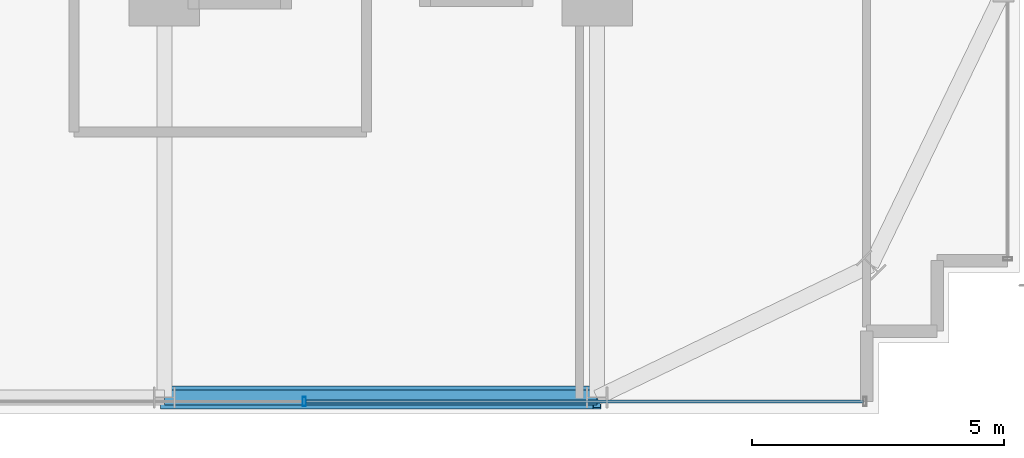
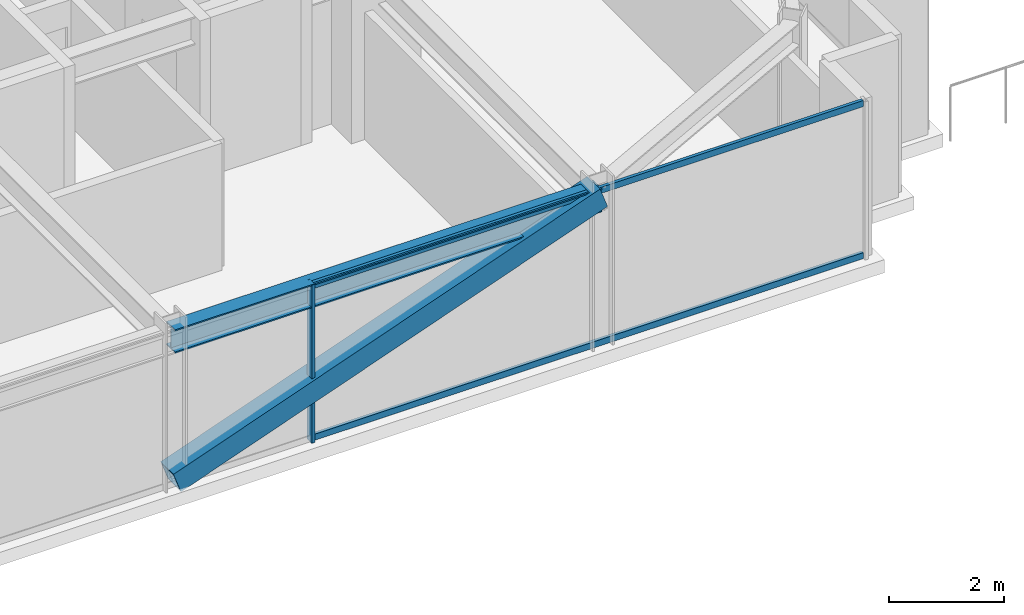
# One storey, part 12 of 39: 4 members, 1 beam, 1 element without a shape of its own.
"""IFC4 building model written with IfcOpenShell, lengths in metres."""

from ifc_helpers import new_model, si_unit, direction, frame, origin, origin_2d, place, context, subcontext, project, spatial, hollow_rectangle, i_section, extrude, source, transform, mapped, material, material_profile, profile_set, type_object, element, aggregate, save


model = new_model("IFC4")

# Units and contexts
model_context = context("Model", 3, precision=1e-05, world=origin(), true_north=direction((0.0, 1.0)))
body_context = subcontext(model_context, "Body", "Model", "MODEL_VIEW")
ifc_project = project(units=[si_unit("LENGTHUNIT", "METRE"), si_unit("AREAUNIT", "SQUARE_METRE"), si_unit("VOLUMEUNIT", "CUBIC_METRE"), si_unit("PLANEANGLEUNIT", "RADIAN"), si_unit("MASSUNIT", "GRAM", prefix="KILO")], contexts=[model_context])

# Site, building, storey
site_placement = place(None, origin())
site = spatial("IfcSite", under=ifc_project, at=site_placement, CompositionType="ELEMENT")
building_placement = place(site_placement, origin())
building = spatial("IfcBuilding", under=site, at=building_placement, Name="Nahalor Promenade Grand Hotel", CompositionType="ELEMENT")
storey_placement = place(building_placement, frame((0.0, 0.0, 32.39990234375)))
storey = spatial("IfcBuildingStorey", under=building, at=storey_placement, Name="L06", CompositionType="ELEMENT", Elevation=32.39990234375)

# Beam
ifc_material_1 = material(Name="Steel S355JR", Category="steel")
ifc_material_profile_1 = material_profile(ifc_material_1, i_section(OverallWidth=0.3, OverallDepth=0.5, WebThickness=0.0145, FlangeThickness=0.028, at=origin_2d()), Name="HEB 500")
ifc_profile_set_1 = profile_set([ifc_material_profile_1], Name="Steel S355JR")
beam_type = type_object("IfcBeamType", Name="Beam-Spandrel-HEB500", PredefinedType="SPANDREL", material=ifc_profile_set_1)
shared_shape_1 = source(origin(), body_context, "Body", "SweptSolid", [
    extrude(i_section(OverallWidth=0.3, OverallDepth=0.5, WebThickness=0.0145, FlangeThickness=0.028, at=origin_2d()), origin(), (0.0, 0.0, 1.0), 8.60009765625),
])
beam_placement = place(storey_placement, frame((8.39990234375, -25.080078125, 3.1201171875), z_axis=(1.0, 0.0, 0.0), x_axis=(0.0, 1.0, 0.0)))
element("IfcBeam", 1, at=beam_placement, inside=storey, type_object=beam_type, Name="BM-L06-SP-S-4", PredefinedType="SPANDREL", context=body_context, shape_type="MappedRepresentation", body=[
    mapped(shared_shape_1, transform((0.0, 0.0, 0.0), scale=1.0)),
])

# Member
ifc_material_2 = material(Name="Steel S355J2", Category="steel")
ifc_material_profile_2 = material_profile(ifc_material_2, hollow_rectangle(XDim=0.45, YDim=0.45, WallThickness=0.025, at=origin_2d()), Name="SHS 450x450x25")
ifc_profile_set_2 = profile_set([ifc_material_profile_2], Name="Steel S355J2")
member_type_1 = type_object("IfcMemberType", Name="Mem-ExoBrace-SHS450", PredefinedType="BRACE", material=ifc_profile_set_2)
shared_shape_2 = source(origin(), body_context, "Body", "SweptSolid", [
    extrude(hollow_rectangle(XDim=0.45, YDim=0.45, WallThickness=0.025, at=origin_2d()), origin(), (0.0, 0.0, 1.0), 9.131591796875),
])
member_1_placement = place(storey_placement, frame((8.39990234375, -25.080078125, 0.150146484375), z_axis=(0.941790292179, 0.0, 0.336200900589), x_axis=(0.0, 1.0, 0.0)))
element("IfcMember", 2, at=member_1_placement, inside=storey, type_object=member_type_1, Name="EXO-L06-S-1", PredefinedType="BRACE", context=body_context, shape_type="MappedRepresentation", body=[
    mapped(shared_shape_2, transform((0.0, 0.0, 0.0), scale=1.0)),
])

# Curtain wall, members
ifc_material_3 = material(Name="Anodised Bronze Aluminium EN AW-6063 T6", Category="aluminium")
curtain_wall_type = type_object("IfcCurtainWallType", Name="CW2 Typical Hotel Flush Bronze Unitised Curtain Wall", PredefinedType="USERDEFINED", material=ifc_material_3)
curtain_wall_placement = place(storey_placement, origin())
curtain_wall = element("IfcCurtainWall", 3, at=curtain_wall_placement, inside=storey, type_object=curtain_wall_type, Name="L06 Curtain Wall CW-L06-S-1", ObjectType="UNITISED_CURTAIN_WALL", PredefinedType="USERDEFINED")
ifc_material_profile_3 = material_profile(ifc_material_3, hollow_rectangle(XDim=0.065, YDim=0.18, WallThickness=0.004, at=origin_2d()), Name="CWM 65x180x4")
ifc_profile_set_3 = profile_set([ifc_material_profile_3], Name="Anodised Bronze Aluminium EN AW-6063 T6")
member_type_2 = type_object("IfcMemberType", Name="CWM2 Typical Bronze Mullion 65x180", PredefinedType="MULLION", material=ifc_profile_set_3)
shared_shape_3 = source(origin(), body_context, "Body", "SweptSolid", [
    extrude(hollow_rectangle(XDim=0.065, YDim=0.18, WallThickness=0.004, at=origin_2d()), origin(), (0.0, 0.0, 1.0), 3.3701171875),
])
member_2_placement = place(storey_placement, frame((11.179931640625, -25.159912109375, 0.0), z_axis=(0.0, 0.0, 1.0), x_axis=(1.0, 0.0, 0.0)))
member_2 = element("IfcMember", 4, at=member_2_placement, type_object=member_type_2, Name="CW-L06-S-1 Mullion 3", PredefinedType="MULLION", context=body_context, shape_type="MappedRepresentation", body=[
    mapped(shared_shape_3, transform((0.0, 0.0, 0.0), scale=1.0)),
])
ifc_material_profile_4 = material_profile(ifc_material_3, hollow_rectangle(XDim=0.065, YDim=0.13, WallThickness=0.004, at=origin_2d()), Name="CWT 65x130x4")
ifc_profile_set_4 = profile_set([ifc_material_profile_4], Name="Anodised Bronze Aluminium EN AW-6063 T6")
member_type_3 = type_object("IfcMemberType", Name="CWT2 Typical Bronze Transom 65x130", PredefinedType="USERDEFINED", material=ifc_profile_set_4)
shared_shape_4 = source(origin(), body_context, "Body", "SweptSolid", [
    extrude(hollow_rectangle(XDim=0.065, YDim=0.13, WallThickness=0.004, at=origin_2d()), origin(), (0.0, 0.0, 1.0), 11.08251953125),
])
member_3_placement = place(storey_placement, frame((11.21240234375, -25.159912109375, 0.065185546875), z_axis=(1.0, 0.0, 0.0), x_axis=(0.0, 1.0, 0.0)))
member_3 = element("IfcMember", 5, at=member_3_placement, type_object=member_type_3, Name="CW-L06-S-1 Transom 3-0", ObjectType="TRANSOM", PredefinedType="USERDEFINED", context=body_context, shape_type="MappedRepresentation", body=[
    mapped(shared_shape_4, transform((0.0, 0.0, 0.0), scale=1.0)),
])
member_4_placement = place(storey_placement, frame((11.21240234375, -25.159912109375, 3.30517578125), z_axis=(1.0, 0.0, 0.0), x_axis=(0.0, 1.0, 0.0)))
member_4 = element("IfcMember", 6, at=member_4_placement, type_object=member_type_3, Name="CW-L06-S-1 Transom 3-1", ObjectType="TRANSOM", PredefinedType="USERDEFINED", context=body_context, shape_type="MappedRepresentation", body=[
    mapped(shared_shape_4, transform((0.0, 0.0, 0.0), scale=1.0)),
])
aggregate(curtain_wall, [member_2, member_3, member_4])

save(model, "model.ifc")
